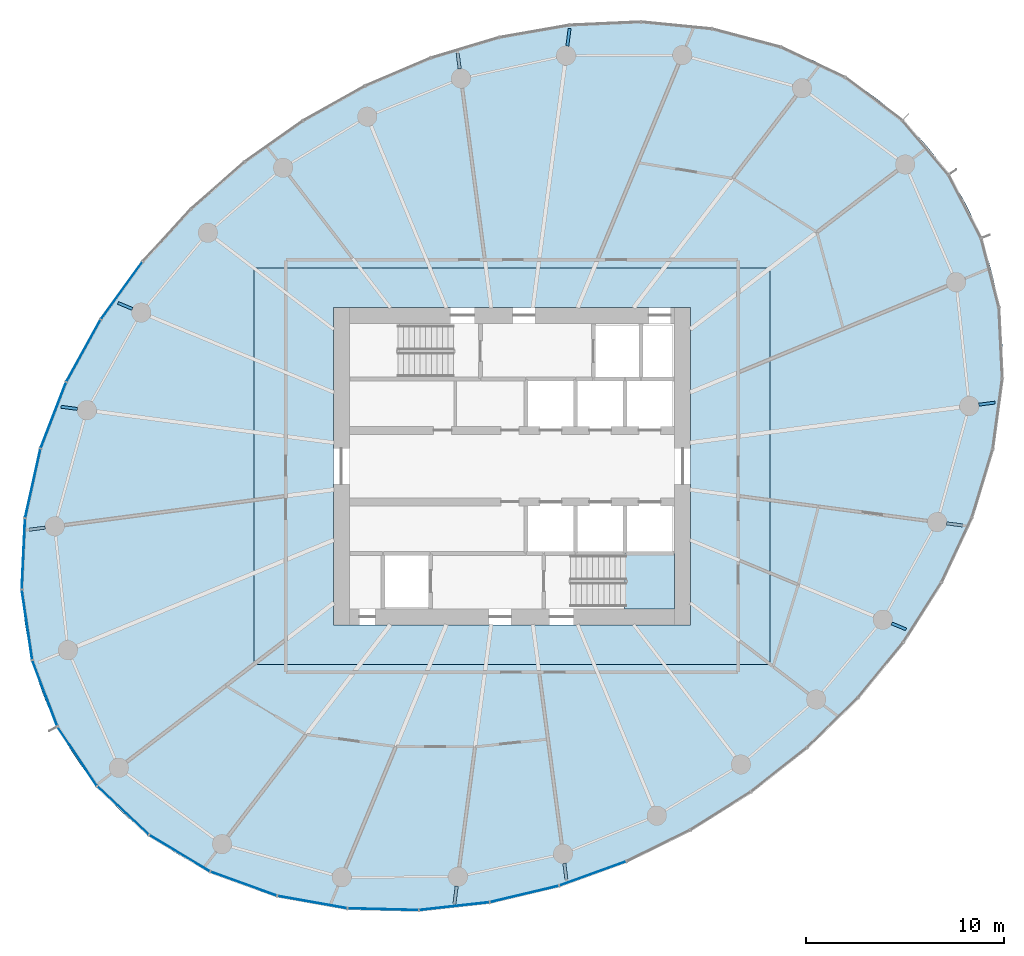
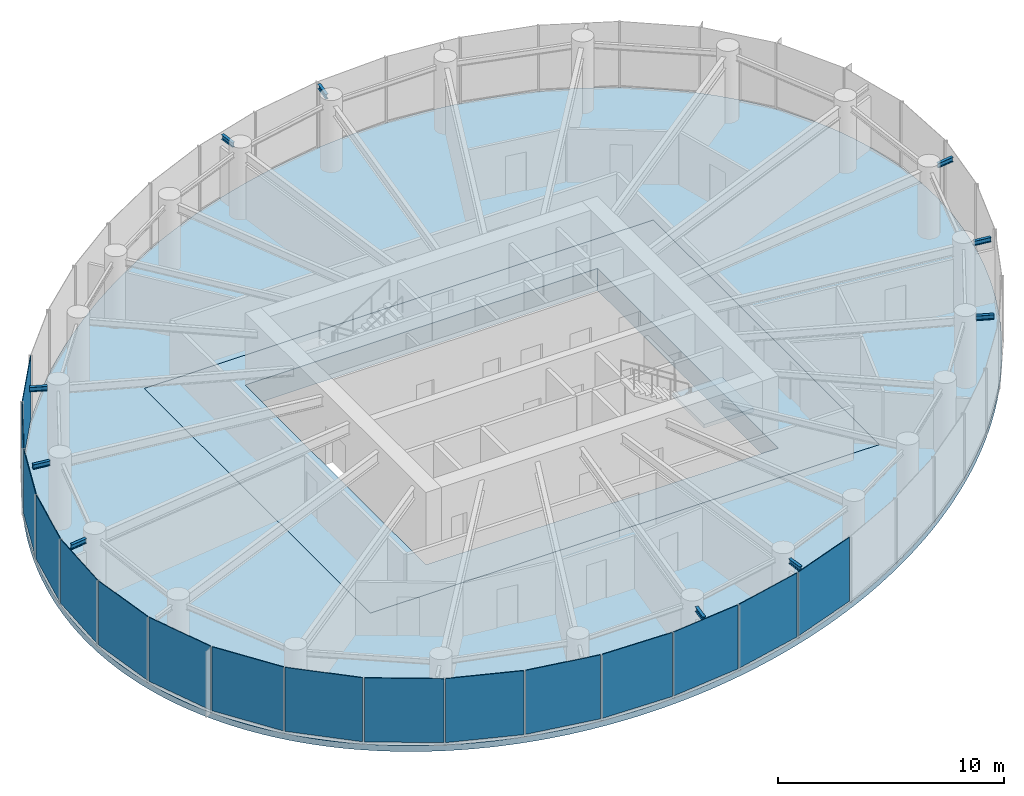
# One storey, part 7 of 14: 16 plates, 10 beams, 3 slabs, 4 elements without a shape of their own.
"""IFC4 building model written with IfcOpenShell, lengths in metres."""

from ifc_helpers import new_model, si_unit, direction, frame, origin, origin_2d, place, context, subcontext, project, spatial, line, indexed_curve, rectangle, i_section, outline, extrude, source, transform, mapped, material, layer, layer_set, material_profile, profile_set, type_object, element, aggregate, save


model = new_model("IFC4")

# Units and contexts
model_context = context("Model", 3, precision=1e-05, world=origin(), true_north=direction((0.0, 1.0)))
body_context = subcontext(model_context, "Body", "Model", "MODEL_VIEW")
ifc_project = project(units=[si_unit("LENGTHUNIT", "METRE"), si_unit("AREAUNIT", "SQUARE_METRE"), si_unit("VOLUMEUNIT", "CUBIC_METRE"), si_unit("PLANEANGLEUNIT", "RADIAN"), si_unit("MASSUNIT", "GRAM", prefix="KILO")], contexts=[model_context])

# Site, building, storey
site_placement = place(None, origin())
site = spatial("IfcSite", under=ifc_project, at=site_placement, CompositionType="ELEMENT")
building_placement = place(site_placement, origin())
building = spatial("IfcBuilding", under=site, at=building_placement, Name="Spindrift Exchange Tower", CompositionType="ELEMENT")
storey_placement = place(building_placement, frame((0.0, 0.0, 140.89990234375)))
storey = spatial("IfcBuildingStorey", under=building, at=storey_placement, Name="L33", CompositionType="ELEMENT", Elevation=140.89990234375)

# Beams
ifc_material_1 = material(Name="Steel Grade 300", Category="steel")
ifc_material_profile = material_profile(ifc_material_1, i_section(OverallWidth=0.14599609375, OverallDepth=0.251953125, WebThickness=0.006103515625, FlangeThickness=0.008544921875, FilletRadius=0.011962890625, at=origin_2d()), Name="250UB31.4")
ifc_profile_set = profile_set([ifc_material_profile], Name="Steel Grade 300")
beam_type = type_object("IfcBeamType", Name="Cantilever Beam 250UB31.4 Steel Grade 300", PredefinedType="BEAM", material=ifc_profile_set)
shared_shape_1 = source(origin(), body_context, "Body", "SweptSolid", [
    extrude(i_section(OverallWidth=0.14599609375, OverallDepth=0.251953125, WebThickness=0.006103515625, FlangeThickness=0.008544921875, FilletRadius=0.011962890625, at=origin_2d()), origin(), (0.0, 0.0, 1.0), 0.82177734375),
])
for number, where, z_axis, x_axis, name in (
    (1, (75.537841796875, 51.098876953125, 3.4541015625), (0.991457329077, 0.130431455638, 0.0), (-0.130431455638, 0.991457329077, 0.0), "L33 cantilever beam R01T"),
    (2, (28.462158203125, 44.901123046875, 3.4541015625), (-0.991457329077, -0.130431455638, 0.0), (0.130431455638, -0.991457329077, 0.0), "L33 cantilever beam R13T"),
):
    element("IfcBeam", number, at=place(storey_placement, frame(where, z_axis=z_axis, x_axis=x_axis)), inside=storey, type_object=beam_type, Name=name, PredefinedType="BEAM", context=body_context, shape_type="MappedRepresentation", body=[
        mapped(shared_shape_1, transform((0.0, 0.0, 0.0), scale=1.0)),
    ])
shared_shape_2 = source(origin(), body_context, "Body", "SweptSolid", [
    extrude(i_section(OverallWidth=0.14599609375, OverallDepth=0.251953125, WebThickness=0.006103515625, FlangeThickness=0.008544921875, FilletRadius=0.011962890625, at=origin_2d()), origin(), (0.0, 0.0, 1.0), 0.89208984375),
])
for number, where, z_axis, x_axis, name in (
    (3, (54.78857421875, 69.18115234375, 3.4541015625), (0.130532379334, 0.991444046805, 0.0), (-0.991444046805, 0.130532379334, 0.0), "L33 cantilever beam R06T"),
    (4, (49.21142578125, 26.81884765625, 3.4541015625), (-0.130532379334, -0.991444046805, 0.0), (0.991444046805, -0.130532379334, 0.0), "L33 cantilever beam R18T"),
):
    element("IfcBeam", number, at=place(storey_placement, frame(where, z_axis=z_axis, x_axis=x_axis)), inside=storey, type_object=beam_type, Name=name, PredefinedType="BEAM", context=body_context, shape_type="MappedRepresentation", body=[
        mapped(shared_shape_2, transform((0.0, 0.0, 0.0), scale=1.0)),
    ])
shared_shape_3 = source(origin(), body_context, "Body", "SweptSolid", [
    extrude(i_section(OverallWidth=0.14599609375, OverallDepth=0.251953125, WebThickness=0.006103515625, FlangeThickness=0.008544921875, FilletRadius=0.011962890625, at=origin_2d()), origin(), (0.0, 0.0, 1.0), 0.818115234375),
])
for number, where, z_axis, x_axis, name in (
    (5, (49.36328125, 68.027099609375, 3.4541015625), (-0.130423631132, 0.991458358401, 0.0), (-0.991458358401, -0.130423631132, 0.0), "L33 cantilever beam R07T"),
    (6, (54.63671875, 27.972900390625, 3.4541015625), (0.130423631132, -0.991458358401, 0.0), (0.991458358401, 0.130423631132, 0.0), "L33 cantilever beam R19T"),
):
    element("IfcBeam", number, at=place(storey_placement, frame(where, z_axis=z_axis, x_axis=x_axis)), inside=storey, type_object=beam_type, Name=name, PredefinedType="BEAM", context=body_context, shape_type="MappedRepresentation", body=[
        mapped(shared_shape_3, transform((0.0, 0.0, 0.0), scale=1.0)),
    ])
shared_shape_4 = source(origin(), body_context, "Body", "SweptSolid", [
    extrude(i_section(OverallWidth=0.14599609375, OverallDepth=0.251953125, WebThickness=0.006103515625, FlangeThickness=0.008544921875, FilletRadius=0.011962890625, at=origin_2d()), origin(), (0.0, 0.0, 1.0), 0.787841796875),
])
for number, where, z_axis, x_axis, name in (
    (7, (32.857177734375, 55.92919921875, 3.4541015625), (-0.923854398102, 0.38274410656, 0.0), (-0.38274410656, -0.923854398102, 0.0), "L33 cantilever beam R11T"),
    (8, (71.142822265625, 40.07080078125, 3.4541015625), (0.923854398102, -0.38274410656, 0.0), (0.38274410656, 0.923854398102, 0.0), "L33 cantilever beam R23T"),
):
    element("IfcBeam", number, at=place(storey_placement, frame(where, z_axis=z_axis, x_axis=x_axis)), inside=storey, type_object=beam_type, Name=name, PredefinedType="BEAM", context=body_context, shape_type="MappedRepresentation", body=[
        mapped(shared_shape_4, transform((0.0, 0.0, 0.0), scale=1.0)),
    ])
shared_shape_5 = source(origin(), body_context, "Body", "SweptSolid", [
    extrude(i_section(OverallWidth=0.14599609375, OverallDepth=0.251953125, WebThickness=0.006103515625, FlangeThickness=0.008544921875, FilletRadius=0.011962890625, at=origin_2d()), origin(), (0.0, 0.0, 1.0), 0.826416015625),
])
for number, where, z_axis, x_axis, name in (
    (9, (30.0830078125, 50.885498046875, 3.4541015625), (-0.991438199639, 0.130576783147, 0.0), (-0.130576783147, -0.991438199639, 0.0), "L33 cantilever beam R12T"),
    (10, (73.9169921875, 45.114501953125, 3.4541015625), (0.991438199639, -0.130576783147, 0.0), (0.130576783147, 0.991438199639, 0.0), "L33 cantilever beam R24T"),
):
    element("IfcBeam", number, at=place(storey_placement, frame(where, z_axis=z_axis, x_axis=x_axis)), inside=storey, type_object=beam_type, Name=name, PredefinedType="BEAM", context=body_context, shape_type="MappedRepresentation", body=[
        mapped(shared_shape_5, transform((0.0, 0.0, 0.0), scale=1.0)),
    ])

# Slabs
ifc_material_2 = material(Name="Concrete 65 MPa", Category="concrete")
ifc_layer_1 = layer(ifc_material_2, 1.199951171875)
ifc_layer_set_1 = layer_set([ifc_layer_1], Name="RC Core Transfer Slab 1200 Concrete 65 MPa")
slab_type_1 = type_object("IfcSlabType", Name="RC Core Transfer Slab 1200 Concrete 65 MPa", PredefinedType="FLOOR", material=ifc_layer_set_1)
slab_1_placement = place(storey_placement, frame((0.0, 0.0, -1.199951171875)))
element("IfcSlab", 11, at=slab_1_placement, inside=storey, type_object=slab_type_1, Name="Core transfer slab L33", PredefinedType="FLOOR", context=body_context, shape_type="SweptSolid", body=[
    extrude(outline(indexed_curve([(39.0, 38.0), (65.0, 38.0), (65.0, 58.0), (39.0, 58.0)], segments=[line(1, 2, 3, 4, 1)], self_intersect=False), holes=[indexed_curve([(43.0, 40.0), (61.0, 40.0), (61.0, 56.0), (43.0, 56.0)], segments=[line(1, 2, 3, 4, 1)], self_intersect=False)]), origin(), (0.0, 0.0, 1.0), 1.199951171875),
])
ifc_material_3 = material(Name="Concrete 40 MPa", Category="concrete")
ifc_layer_2 = layer(ifc_material_3, 0.320068359375)
ifc_layer_set_2 = layer_set([ifc_layer_2], Name="RC Floor Slab 320 Concrete 40 MPa")
slab_type_2 = type_object("IfcSlabType", Name="RC Floor Slab 320 Concrete 40 MPa", PredefinedType="FLOOR", material=ifc_layer_set_2)
slab_2_placement = place(storey_placement, frame((0.0, 0.0, -0.31982421875)))
element("IfcSlab", 12, at=slab_2_placement, inside=storey, type_object=slab_type_2, Name="Floor slab L33", PredefinedType="FLOOR", context=body_context, shape_type="SweptSolid", body=[
    extrude(outline(indexed_curve([(74.008544921875, 62.69140625), (73.7763671875, 63.029541015625), (73.535400390625, 63.361572265625), (73.28564453125, 63.687255859375), (73.027587890625, 64.006103515625), (72.761474609375, 64.318359375), (72.4873046875, 64.62353515625), (72.205078125, 64.92138671875), (71.91552734375, 65.212158203125), (71.61865234375, 65.4951171875), (71.314697265625, 65.770751953125), (71.00390625, 66.03857421875), (70.686279296875, 66.298583984375), (70.362548828125, 66.550537109375), (69.697265625, 67.030517578125), (69.009521484375, 67.47802734375), (68.301513671875, 67.892578125), (67.9404296875, 68.087646484375), (67.205810546875, 68.453125), (66.455810546875, 68.785888671875), (66.075439453125, 68.93994140625), (65.305908203125, 69.22412109375), (64.916748046875, 69.35400390625), (64.130859375, 69.590576171875), (63.33642578125, 69.7958984375), (62.9365234375, 69.88720703125), (62.131591796875, 70.046875), (61.727294921875, 70.115478515625), (60.914794921875, 70.231201171875), (60.098876953125, 70.318115234375), (59.68994140625, 70.35107421875), (59.280517578125, 70.377197265625), (58.460693359375, 70.408935546875), (58.05029296875, 70.414794921875), (57.229736328125, 70.406982421875), (56.409912109375, 70.37353515625), (56.00048828125, 70.347412109375), (55.18310546875, 70.276611328125), (54.775146484375, 70.232177734375), (54.367919921875, 70.181884765625), (53.555908203125, 70.0634765625), (52.74755859375, 69.92236328125), (52.344970703125, 69.84326171875), (51.943603515625, 69.7587890625), (51.144287109375, 69.573486328125), (50.74658203125, 69.47265625), (49.955078125, 69.255615234375), (49.169921875, 69.017578125), (48.779541015625, 68.89111328125), (48.00390625, 68.623291015625), (47.618896484375, 68.48193359375), (47.2353515625, 68.335693359375), (46.47412109375, 68.029296875), (45.720947265625, 67.703857421875), (45.347412109375, 67.5341796875), (44.975830078125, 67.360107421875), (44.2392578125, 66.998291015625), (43.151611328125, 66.422607421875), (42.438232421875, 66.01708984375), (41.734619140625, 65.594482421875), (40.698974609375, 64.9296875), (40.02197265625, 64.466064453125), (39.356201171875, 63.986328125), (38.379638671875, 63.2373046875), (37.4306640625, 62.453369140625), (37.12060546875, 62.1845703125), (36.5107421875, 61.6357421875), (36.2109375, 61.355712890625), (35.62158203125, 60.784912109375), (35.04638671875, 60.199462890625), (34.764404296875, 59.9013671875), (34.486083984375, 59.599853515625), (33.94140625, 58.986328125), (33.6748046875, 58.67431640625), (33.154052734375, 58.040283203125), (32.64990234375, 57.392822265625), (32.404296875, 57.064208984375), (31.9267578125, 56.39697265625), (31.694580078125, 56.05859375), (31.46728515625, 55.717041015625), (31.02685546875, 55.024658203125), (30.606201171875, 54.3203125), (30.403564453125, 53.96337890625), (30.2060546875, 53.603759765625), (29.8271484375, 52.8759765625), (29.470458984375, 52.136962890625), (29.30078125, 51.763427734375), (28.978759765625, 51.0087890625), (28.826904296875, 50.627685546875), (28.541748046875, 49.858154296875), (28.40869140625, 49.47021484375), (28.16259765625, 48.687255859375), (28.0498046875, 48.29296875), (27.94384765625, 47.896484375), (27.75341796875, 47.098388671875), (27.59228515625, 46.293701171875), (27.52294921875, 45.889404296875), (27.407958984375, 45.076904296875), (27.324951171875, 44.2607421875), (27.2958984375, 43.851318359375), (27.26318359375, 43.031494140625), (27.259521484375, 42.621337890625), (27.279296875, 41.801025390625), (27.3349609375, 40.982421875), (27.427490234375, 40.1669921875), (27.488037109375, 39.76123046875), (27.6376953125, 38.95458984375), (27.726806640625, 38.55419921875), (27.82568359375, 38.156005859375), (27.93408203125, 37.76025390625), (28.052490234375, 37.367431640625), (28.1806640625, 36.9775390625), (28.318603515625, 36.59130859375), (28.466064453125, 36.20849609375), (28.62353515625, 35.82958984375), (28.79052734375, 35.45458984375), (28.96728515625, 35.08447265625), (29.1533203125, 34.71875), (29.34912109375, 34.358154296875), (29.553955078125, 34.002685546875), (29.768310546875, 33.65283203125), (29.991455078125, 33.30859375), (30.2236328125, 32.970458984375), (30.464599609375, 32.638427734375), (30.71435546875, 32.312744140625), (30.972412109375, 31.993896484375), (31.238525390625, 31.681640625), (31.5126953125, 31.37646484375), (31.794921875, 31.07861328125), (32.08447265625, 30.787841796875), (32.38134765625, 30.5048828125), (32.685302734375, 30.229248046875), (32.99609375, 29.96142578125), (33.313720703125, 29.701416015625), (33.637451171875, 29.449462890625), (34.302734375, 28.969482421875), (34.990478515625, 28.52197265625), (35.698486328125, 28.107421875), (36.0595703125, 27.912353515625), (36.794189453125, 27.546875), (37.544189453125, 27.214111328125), (37.924560546875, 27.06005859375), (38.694091796875, 26.77587890625), (39.083251953125, 26.64599609375), (39.869140625, 26.409423828125), (40.66357421875, 26.2041015625), (41.0634765625, 26.11279296875), (41.868408203125, 25.953125), (42.272705078125, 25.884521484375), (43.085205078125, 25.768798828125), (43.901123046875, 25.681884765625), (44.31005859375, 25.64892578125), (45.12939453125, 25.603515625), (45.539306640625, 25.591064453125), (45.94970703125, 25.585205078125), (46.770263671875, 25.593017578125), (47.590087890625, 25.62646484375), (47.99951171875, 25.652587890625), (48.81689453125, 25.723388671875), (49.224853515625, 25.767822265625), (49.632080078125, 25.818115234375), (50.444091796875, 25.9365234375), (51.25244140625, 26.07763671875), (51.655029296875, 26.15673828125), (52.056396484375, 26.2412109375), (52.855712890625, 26.426513671875), (53.25341796875, 26.52734375), (54.044921875, 26.744384765625), (54.830078125, 26.982421875), (55.220458984375, 27.10888671875), (55.99609375, 27.376708984375), (56.381103515625, 27.51806640625), (56.7646484375, 27.664306640625), (57.52587890625, 27.970703125), (58.279052734375, 28.296142578125), (58.652587890625, 28.4658203125), (59.024169921875, 28.639892578125), (59.7607421875, 29.001708984375), (60.848388671875, 29.577392578125), (61.561767578125, 29.98291015625), (62.265380859375, 30.405517578125), (63.301025390625, 31.0703125), (63.97802734375, 31.533935546875), (64.643798828125, 32.013671875), (65.620361328125, 32.7626953125), (66.5693359375, 33.546630859375), (66.87939453125, 33.8154296875), (67.4892578125, 34.3642578125), (67.7890625, 34.644287109375), (68.37841796875, 35.215087890625), (68.95361328125, 35.800537109375), (69.235595703125, 36.0986328125), (69.513916015625, 36.400146484375), (70.05859375, 37.013671875), (70.3251953125, 37.32568359375), (70.845947265625, 37.959716796875), (71.35009765625, 38.607177734375), (71.595703125, 38.935791015625), (72.0732421875, 39.60302734375), (72.305419921875, 39.94140625), (72.53271484375, 40.282958984375), (72.97314453125, 40.975341796875), (73.393798828125, 41.6796875), (73.596435546875, 42.03662109375), (73.7939453125, 42.396240234375), (74.1728515625, 43.1240234375), (74.529541015625, 43.863037109375), (74.69921875, 44.236572265625), (75.021240234375, 44.9912109375), (75.173095703125, 45.372314453125), (75.458251953125, 46.141845703125), (75.59130859375, 46.52978515625), (75.83740234375, 47.312744140625), (75.9501953125, 47.70703125), (76.05615234375, 48.103515625), (76.24658203125, 48.901611328125), (76.40771484375, 49.706298828125), (76.47705078125, 50.110595703125), (76.592041015625, 50.923095703125), (76.675048828125, 51.7392578125), (76.7041015625, 52.148681640625), (76.73681640625, 52.968505859375), (76.740478515625, 53.378662109375), (76.720703125, 54.198974609375), (76.6650390625, 55.017578125), (76.572509765625, 55.8330078125), (76.511962890625, 56.23876953125), (76.3623046875, 57.04541015625), (76.273193359375, 57.44580078125), (76.17431640625, 57.843994140625), (76.06591796875, 58.23974609375), (75.947509765625, 58.632568359375), (75.8193359375, 59.0224609375), (75.681396484375, 59.40869140625), (75.533935546875, 59.79150390625), (75.37646484375, 60.17041015625), (75.20947265625, 60.54541015625), (75.03271484375, 60.91552734375), (74.8466796875, 61.28125), (74.65087890625, 61.641845703125), (74.446044921875, 61.997314453125), (74.231689453125, 62.34716796875)], segments=[line(1, 2, 3, 4, 5, 6, 7, 8, 9, 10, 11, 12, 13, 14, 15, 16, 17, 18, 19, 20, 21, 22, 23, 24, 25, 26, 27, 28, 29, 30, 31, 32, 33, 34, 35, 36, 37, 38, 39, 40, 41, 42, 43, 44, 45, 46, 47, 48, 49, 50, 51, 52, 53, 54, 55, 56, 57, 58, 59, 60, 61, 62, 63, 64, 65, 66, 67, 68, 69, 70, 71, 72, 73, 74, 75, 76, 77, 78, 79, 80, 81, 82, 83, 84, 85, 86, 87, 88, 89, 90, 91, 92, 93, 94, 95, 96, 97, 98, 99, 100, 101, 102, 103, 104, 105, 106, 107, 108, 109, 110, 111, 112, 113, 114, 115, 116, 117, 118, 119, 120, 121, 122, 123, 124, 125, 126, 127, 128, 129, 130, 131, 132, 133, 134, 135, 136, 137, 138, 139, 140, 141, 142, 143, 144, 145, 146, 147, 148, 149, 150, 151, 152, 153, 154, 155, 156, 157, 158, 159, 160, 161, 162, 163, 164, 165, 166, 167, 168, 169, 170, 171, 172, 173, 174, 175, 176, 177, 178, 179, 180, 181, 182, 183, 184, 185, 186, 187, 188, 189, 190, 191, 192, 193, 194, 195, 196, 197, 198, 199, 200, 201, 202, 203, 204, 205, 206, 207, 208, 209, 210, 211, 212, 213, 214, 215, 216, 217, 218, 219, 220, 221, 222, 223, 224, 225, 226, 227, 228, 229, 230, 231, 232, 233, 234, 235, 236, 237, 238, 239, 240, 241, 242, 1)], self_intersect=False), holes=[indexed_curve([(39.0, 38.0), (65.0, 38.0), (65.0, 58.0), (39.0, 58.0)], segments=[line(1, 2, 3, 4, 1)], self_intersect=False)]), origin(), (0.0, 0.0, 1.0), 0.31982421875),
])

# Stair, slab
ifc_material_4 = material(Name="Concrete 50 MPa", Category="concrete")
stair_type = type_object("IfcStairType", Name="ST-1250-R177", PredefinedType="HALF_TURN_STAIR", material=ifc_material_4)
stair_placement = place(storey_placement, origin())
stair = element("IfcStair", 13, at=stair_placement, inside=storey, type_object=stair_type, Name="L33 Exit stair ST2", PredefinedType="HALF_TURN_STAIR")
ifc_layer_3 = layer(ifc_material_4, 0.199951171875)
ifc_layer_set_3 = layer_set([ifc_layer_3], Name="SL-LANDING")
slab_type_3 = type_object("IfcSlabType", Name="SL-LANDING", PredefinedType="LANDING", material=ifc_layer_set_3)
slab_3_placement = place(storey_placement, frame((0.0, 0.0, 1.75)))
slab_3 = element("IfcSlab", 14, at=slab_3_placement, type_object=slab_type_3, Name="ST2 landing 1", PredefinedType="LANDING", context=body_context, shape_type="SweptSolid", body=[
    extrude(outline(indexed_curve([(57.669921875, 43.60009765625), (60.199951171875, 43.60009765625), (60.199951171875, 40.800048828125), (57.669921875, 40.800048828125)], segments=[line(1, 2, 3, 4, 1)], self_intersect=False)), origin(), (0.0, 0.0, 1.0), 0.2001953125),
])
aggregate(stair, [slab_3])

# Curtain wall, plate
ifc_material_5 = material(Name="Fritted laminated glass with bronze frame", Category="glass")
ifc_layer_4 = layer(ifc_material_5, 0.179931640625)
ifc_layer_set_4 = layer_set([ifc_layer_4], Name="ZONE 3 BRONZE FRITTED WALL")
curtain_wall_type = type_object("IfcCurtainWallType", Name="ZONE 3 BRONZE FRITTED WALL", PredefinedType="NOTDEFINED", material=ifc_layer_set_4)
curtain_wall_1_placement = place(storey_placement, origin())
curtain_wall_1 = element("IfcCurtainWall", 15, at=curtain_wall_1_placement, inside=storey, type_object=curtain_wall_type, Name="L33 Zone 3 Bronze Fritted Wall run 5", PredefinedType="NOTDEFINED")
ifc_material_6 = material(Name="Bronze fritted laminated glass, open frit", Category="glass")
ifc_layer_5 = layer(ifc_material_6, 0.031982421875)
ifc_layer_set_5 = layer_set([ifc_layer_5], Name="ZONE 3 BRONZE FRITTED WALL PANEL OPEN FRIT 360")
plate_type_1 = type_object("IfcPlateType", Name="ZONE 3 BRONZE FRITTED WALL PANEL OPEN FRIT 360", PredefinedType="CURTAIN_PANEL", material=ifc_layer_set_5)
shared_shape_6 = source(origin(), body_context, "Body", "SweptSolid", [
    extrude(rectangle(XDim=3.530517578125, YDim=0.031982421875, at=origin_2d()), origin(), (0.0, 0.0, 1.0), 3.449951171875),
])
plate_1_placement = place(storey_placement, frame((52.629638671875, 26.426513671875, 0.1298828125), z_axis=(0.0, 0.0, 1.0), x_axis=(0.97280175863, 0.23163924194, 0.0)))
plate_1 = element("IfcPlate", 16, at=plate_1_placement, type_object=plate_type_1, Name="L33 panel CW-3.28", PredefinedType="CURTAIN_PANEL", context=body_context, shape_type="MappedRepresentation", body=[
    mapped(shared_shape_6, transform((0.0, 0.0, 0.0), scale=1.0)),
])

curtain_wall_2_placement = place(storey_placement, origin())
curtain_wall_2 = element("IfcCurtainWall", 17, at=curtain_wall_2_placement, inside=storey, type_object=curtain_wall_type, Name="L33 Zone 3 Bronze Fritted Wall run 3", PredefinedType="NOTDEFINED")
ifc_layer_6 = layer(ifc_material_6, 0.031982421875)
ifc_layer_set_6 = layer_set([ifc_layer_6], Name="ZONE 3 BRONZE FRITTED WALL PANEL OPEN FRIT 480")
plate_type_2 = type_object("IfcPlateType", Name="ZONE 3 BRONZE FRITTED WALL PANEL OPEN FRIT 480", PredefinedType="CURTAIN_PANEL", material=ifc_layer_set_6)
shared_shape_7 = source(origin(), body_context, "Body", "SweptSolid", [
    extrude(rectangle(XDim=3.529541015625, YDim=0.031982421875, at=origin_2d()), origin(), (0.0, 0.0, 1.0), 3.449951171875),
])
plate_2_placement = place(storey_placement, frame((28.872314453125, 50.567138671875, 0.1298828125), z_axis=(0.0, 0.0, 1.0), x_axis=(-0.360665951302, -0.93269505819, 0.0)))
plate_2 = element("IfcPlate", 18, at=plate_2_placement, type_object=plate_type_2, Name="L33 panel CW-3.16", PredefinedType="CURTAIN_PANEL", context=body_context, shape_type="MappedRepresentation", body=[
    mapped(shared_shape_7, transform((0.0, 0.0, 0.0), scale=1.0)),
])

# Plate
plate_3_placement = place(storey_placement, frame((45.5009765625, 25.656005859375, 0.1298828125), z_axis=(0.0, 0.0, 1.0), x_axis=(0.999696995564, -0.024615382608, 0.0)))
plate_3 = element("IfcPlate", 19, at=plate_3_placement, type_object=plate_type_2, Name="L33 panel CW-3.26", PredefinedType="CURTAIN_PANEL", context=body_context, shape_type="MappedRepresentation", body=[
    mapped(shared_shape_7, transform((0.0, 0.0, 0.0), scale=1.0)),
])

shared_shape_8 = source(origin(), body_context, "Body", "SweptSolid", [
    extrude(rectangle(XDim=3.52880859375, YDim=0.031982421875, at=origin_2d()), origin(), (0.0, 0.0, 1.0), 3.449951171875),
])
plate_4_placement = place(storey_placement, frame((27.834716796875, 47.131591796875, 0.1298828125), z_axis=(0.0, 0.0, 1.0), x_axis=(-0.215826146382, -0.976431807418, 0.0)))
plate_4 = element("IfcPlate", 20, at=plate_4_placement, type_object=plate_type_1, Name="L33 panel CW-3.17", PredefinedType="CURTAIN_PANEL", context=body_context, shape_type="MappedRepresentation", body=[
    mapped(shared_shape_8, transform((0.0, 0.0, 0.0), scale=1.0)),
])

# Curtain wall, plates
curtain_wall_3_placement = place(storey_placement, origin())
curtain_wall_3 = element("IfcCurtainWall", 21, at=curtain_wall_3_placement, inside=storey, type_object=curtain_wall_type, Name="L33 Zone 3 Bronze Fritted Wall run 4", PredefinedType="NOTDEFINED")
shared_shape_9 = source(origin(), body_context, "Body", "SweptSolid", [
    extrude(rectangle(XDim=3.5263671875, YDim=0.031982421875, at=origin_2d()), origin(), (0.0, 0.0, 1.0), 3.449951171875),
])
plate_5_placement = place(storey_placement, frame((27.5439453125, 40.002197265625, 0.1298828125), z_axis=(0.0, 0.0, 1.0), x_axis=(0.146790899536, -0.989167544865, 0.0)))
plate_5 = element("IfcPlate", 22, at=plate_5_placement, type_object=plate_type_1, Name="L33 panel CW-3.19", PredefinedType="CURTAIN_PANEL", context=body_context, shape_type="MappedRepresentation", body=[
    mapped(shared_shape_9, transform((0.0, 0.0, 0.0), scale=1.0)),
])
ifc_layer_7 = layer(ifc_material_6, 0.031982421875)
ifc_layer_set_7 = layer_set([ifc_layer_7], Name="ZONE 3 BRONZE FRITTED WALL PANEL OPEN FRIT 600")
plate_type_3 = type_object("IfcPlateType", Name="ZONE 3 BRONZE FRITTED WALL PANEL OPEN FRIT 600", PredefinedType="CURTAIN_PANEL", material=ifc_layer_set_7)
shared_shape_10 = source(origin(), body_context, "Body", "SweptSolid", [
    extrude(rectangle(XDim=3.527587890625, YDim=0.031982421875, at=origin_2d()), origin(), (0.0, 0.0, 1.0), 3.449951171875),
])
plate_6_placement = place(storey_placement, frame((38.46728515625, 26.943115234375, 0.1298828125), z_axis=(0.0, 0.0, 1.0), x_axis=(0.940272085958, -0.340423859869, 0.0)))
plate_6 = element("IfcPlate", 23, at=plate_6_placement, type_object=plate_type_3, Name="L33 panel CW-3.24", PredefinedType="CURTAIN_PANEL", context=body_context, shape_type="MappedRepresentation", body=[
    mapped(shared_shape_10, transform((0.0, 0.0, 0.0), scale=1.0)),
])

# Plate
shared_shape_11 = source(origin(), body_context, "Body", "SweptSolid", [
    extrude(rectangle(XDim=3.530517578125, YDim=0.031982421875, at=origin_2d()), origin(), (0.0, 0.0, 1.0), 3.449951171875),
])
plate_7_placement = place(storey_placement, frame((32.3173828125, 56.855224609375, 0.1298828125), z_axis=(0.0, 0.0, 1.0), x_axis=(-0.587004142072, -0.809583928442, 0.0)))
plate_7 = element("IfcPlate", 24, at=plate_7_placement, type_object=plate_type_2, Name="L33 panel CW-3.14", PredefinedType="CURTAIN_PANEL", context=body_context, shape_type="MappedRepresentation", body=[
    mapped(shared_shape_11, transform((0.0, 0.0, 0.0), scale=1.0)),
])

shared_shape_12 = source(origin(), body_context, "Body", "SweptSolid", [
    extrude(rectangle(XDim=3.53076171875, YDim=0.031982421875, at=origin_2d()), origin(), (0.0, 0.0, 1.0), 3.449951171875),
])
plate_8_placement = place(storey_placement, frame((56.072998046875, 27.457763671875, 0.1298828125), z_axis=(0.0, 0.0, 1.0), x_axis=(0.940007404874, 0.341154039668, 0.0)))
plate_8 = element("IfcPlate", 25, at=plate_8_placement, type_object=plate_type_2, Name="L33 panel CW-3.29", PredefinedType="CURTAIN_PANEL", context=body_context, shape_type="MappedRepresentation", body=[
    mapped(shared_shape_12, transform((0.0, 0.0, 0.0), scale=1.0)),
])

shared_shape_13 = source(origin(), body_context, "Body", "SweptSolid", [
    extrude(rectangle(XDim=3.530029296875, YDim=0.031982421875, at=origin_2d()), origin(), (0.0, 0.0, 1.0), 3.449951171875),
])
plate_9_placement = place(storey_placement, frame((30.39111328125, 53.82177734375, 0.1298828125), z_axis=(0.0, 0.0, 1.0), x_axis=(-0.483187646047, -0.875516818061, 0.0)))
plate_9 = element("IfcPlate", 26, at=plate_9_placement, type_object=plate_type_2, Name="L33 panel CW-3.15", PredefinedType="CURTAIN_PANEL", context=body_context, shape_type="MappedRepresentation", body=[
    mapped(shared_shape_13, transform((0.0, 0.0, 0.0), scale=1.0)),
])

plate_10_placement = place(storey_placement, frame((49.089111328125, 25.810546875, 0.1298828125), z_axis=(0.0, 0.0, 1.0), x_axis=(0.993879670565, 0.110468096921, 0.0)))
plate_10 = element("IfcPlate", 27, at=plate_10_placement, type_object=plate_type_2, Name="L33 panel CW-3.27", PredefinedType="CURTAIN_PANEL", context=body_context, shape_type="MappedRepresentation", body=[
    mapped(shared_shape_13, transform((0.0, 0.0, 0.0), scale=1.0)),
])

shared_shape_14 = source(origin(), body_context, "Body", "SweptSolid", [
    extrude(rectangle(XDim=3.527587890625, YDim=0.031982421875, at=origin_2d()), origin(), (0.0, 0.0, 1.0), 3.449951171875),
])
plate_11_placement = place(storey_placement, frame((27.36328125, 43.577880859375, 0.1298828125), z_axis=(0.0, 0.0, 1.0), x_axis=(-0.046226019709, -0.998931006177, 0.0)))
plate_11 = element("IfcPlate", 28, at=plate_11_placement, type_object=plate_type_2, Name="L33 panel CW-3.18", PredefinedType="CURTAIN_PANEL", context=body_context, shape_type="MappedRepresentation", body=[
    mapped(shared_shape_14, transform((0.0, 0.0, 0.0), scale=1.0)),
])

aggregate(curtain_wall_2, [plate_7, plate_9, plate_2, plate_4, plate_11])

shared_shape_15 = source(origin(), body_context, "Body", "SweptSolid", [
    extrude(rectangle(XDim=3.525146484375, YDim=0.031982421875, at=origin_2d()), origin(), (0.0, 0.0, 1.0), 3.449951171875),
])
plate_12_placement = place(storey_placement, frame((28.44384765625, 36.542236328125, 0.1298828125), z_axis=(0.0, 0.0, 1.0), x_axis=(0.353695242773, -0.935360719316, 0.0)))
plate_12 = element("IfcPlate", 29, at=plate_12_placement, type_object=plate_type_2, Name="L33 panel CW-3.20", PredefinedType="CURTAIN_PANEL", context=body_context, shape_type="MappedRepresentation", body=[
    mapped(shared_shape_15, transform((0.0, 0.0, 0.0), scale=1.0)),
])

shared_shape_16 = source(origin(), body_context, "Body", "SweptSolid", [
    extrude(rectangle(XDim=3.524658203125, YDim=0.031982421875, at=origin_2d()), origin(), (0.0, 0.0, 1.0), 3.449951171875),
])
plate_13_placement = place(storey_placement, frame((30.077392578125, 33.3662109375, 0.1298828125), z_axis=(0.0, 0.0, 1.0), x_axis=(0.555194318516, -0.831720667464, 0.0)))
plate_13 = element("IfcPlate", 30, at=plate_13_placement, type_object=plate_type_1, Name="L33 panel CW-3.21", PredefinedType="CURTAIN_PANEL", context=body_context, shape_type="MappedRepresentation", body=[
    mapped(shared_shape_16, transform((0.0, 0.0, 0.0), scale=1.0)),
])

shared_shape_17 = source(origin(), body_context, "Body", "SweptSolid", [
    extrude(rectangle(XDim=3.525146484375, YDim=0.031982421875, at=origin_2d()), origin(), (0.0, 0.0, 1.0), 3.449951171875),
])
plate_14_placement = place(storey_placement, frame((32.38427734375, 30.63916015625, 0.1298828125), z_axis=(0.0, 0.0, 1.0), x_axis=(0.728186779608, -0.685378737637, 0.0)))
plate_14 = element("IfcPlate", 31, at=plate_14_placement, type_object=plate_type_1, Name="L33 panel CW-3.22", PredefinedType="CURTAIN_PANEL", context=body_context, shape_type="MappedRepresentation", body=[
    mapped(shared_shape_17, transform((0.0, 0.0, 0.0), scale=1.0)),
])

shared_shape_18 = source(origin(), body_context, "Body", "SweptSolid", [
    extrude(rectangle(XDim=3.5263671875, YDim=0.031982421875, at=origin_2d()), origin(), (0.0, 0.0, 1.0), 3.449951171875),
])
plate_15_placement = place(storey_placement, frame((35.234619140625, 28.481201171875, 0.1298828125), z_axis=(0.0, 0.0, 1.0), x_axis=(0.857240103929, -0.514916890591, 0.0)))
plate_15 = element("IfcPlate", 32, at=plate_15_placement, type_object=plate_type_2, Name="L33 panel CW-3.23", PredefinedType="CURTAIN_PANEL", context=body_context, shape_type="MappedRepresentation", body=[
    mapped(shared_shape_18, transform((0.0, 0.0, 0.0), scale=1.0)),
])

aggregate(curtain_wall_3, [plate_5, plate_12, plate_13, plate_14, plate_15, plate_6])

shared_shape_19 = source(origin(), body_context, "Body", "SweptSolid", [
    extrude(rectangle(XDim=3.528564453125, YDim=0.031982421875, at=origin_2d()), origin(), (0.0, 0.0, 1.0), 3.449951171875),
])
plate_16_placement = place(storey_placement, frame((41.930419921875, 26.015380859375, 0.1298828125), z_axis=(0.0, 0.0, 1.0), x_axis=(0.984541721326, -0.175150218296, 0.0)))
plate_16 = element("IfcPlate", 33, at=plate_16_placement, type_object=plate_type_2, Name="L33 panel CW-3.25", PredefinedType="CURTAIN_PANEL", context=body_context, shape_type="MappedRepresentation", body=[
    mapped(shared_shape_19, transform((0.0, 0.0, 0.0), scale=1.0)),
])

aggregate(curtain_wall_1, [plate_16, plate_3, plate_10, plate_1, plate_8])

save(model, "model.ifc")
